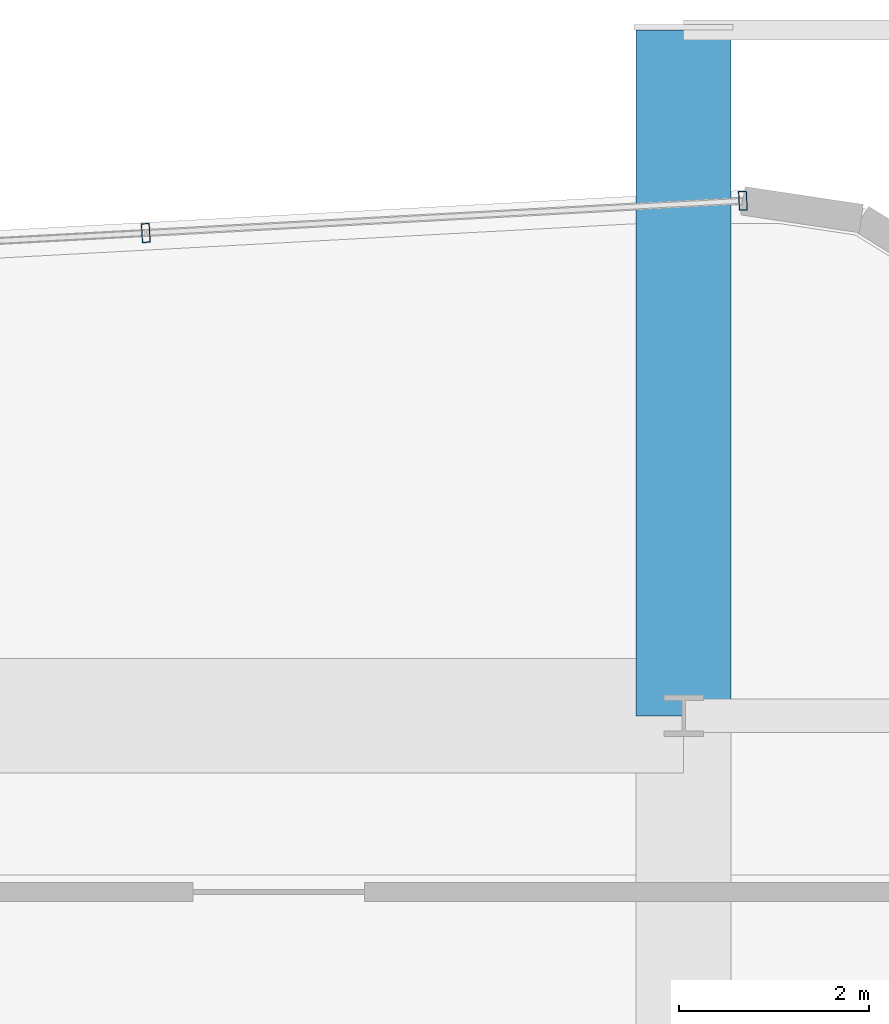
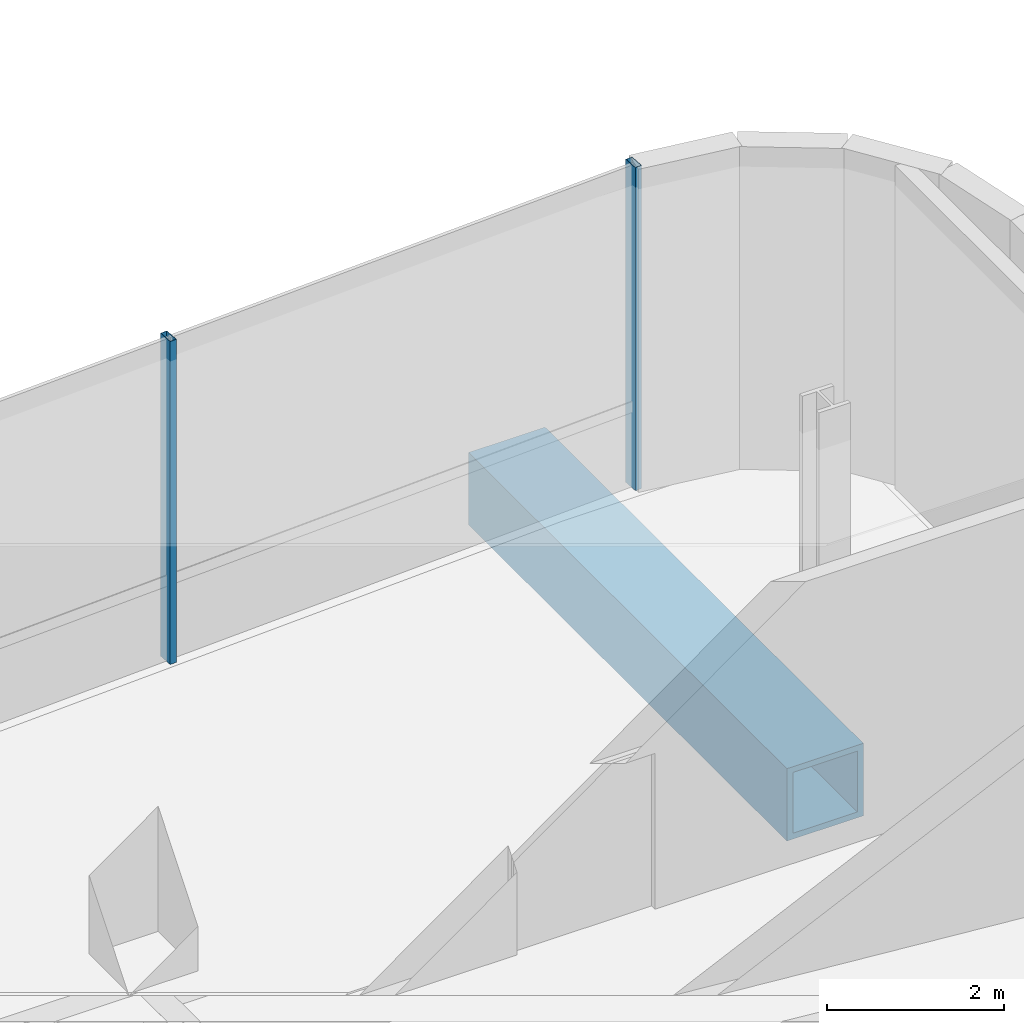
# One storey, part 14 of 20: 2 members, 1 beam, 1 element without a shape of its own.
"""IFC4 building model written with IfcOpenShell, lengths in metres."""

from ifc_helpers import new_model, si_unit, direction, frame, origin, origin_2d, place, context, subcontext, project, spatial, hollow_rectangle, extrude, source, transform, mapped, material, material_profile, profile_set, type_object, element, aggregate, save


model = new_model("IFC4")

# Units and contexts
model_context = context("Model", 3, precision=1e-05, world=origin(), true_north=direction((0.0, 1.0)))
body_context = subcontext(model_context, "Body", "Model", "MODEL_VIEW")
ifc_project = project(units=[si_unit("LENGTHUNIT", "METRE"), si_unit("AREAUNIT", "SQUARE_METRE"), si_unit("VOLUMEUNIT", "CUBIC_METRE"), si_unit("PLANEANGLEUNIT", "RADIAN"), si_unit("MASSUNIT", "GRAM", prefix="KILO")], contexts=[model_context])

# Site, building, storey
site_placement = place(None, origin())
site = spatial("IfcSite", under=ifc_project, at=site_placement, CompositionType="ELEMENT")
building_placement = place(site_placement, origin())
building = spatial("IfcBuilding", under=site, at=building_placement, Name="Valdorenza Pilgrim Sanctuary Tower", CompositionType="ELEMENT")
storey_placement = place(building_placement, frame((0.0, 0.0, 196.300048828125)))
storey = spatial("IfcBuildingStorey", under=building, at=storey_placement, Name="L50", CompositionType="ELEMENT", Elevation=196.300048828125)

# Beam
ifc_material_1 = material(Name="Steel ASTM A572 Grade 42", Category="steel")
ifc_material_profile_1 = material_profile(ifc_material_1, hollow_rectangle(XDim=1.0, YDim=1.0, WallThickness=0.080078125, at=origin_2d()), Name="BOX 1000x1000x80")
ifc_profile_set_1 = profile_set([ifc_material_profile_1], Name="Steel ASTM A572 Grade 42")
beam_type = type_object("IfcBeamType", Name="STR-BM-PROW-CANT", PredefinedType="BEAM", material=ifc_profile_set_1)
shared_shape_1 = source(origin(), body_context, "Body", "SweptSolid", [
    extrude(hollow_rectangle(XDim=1.0, YDim=1.0, WallThickness=0.080078125, at=origin_2d()), origin(), (0.0, 0.0, 1.0), 7.199951171875),
])
beam_placement = place(storey_placement, frame((-3.5, 14.800048828125, -0.739990234375), z_axis=(0.0, 1.0, 0.0), x_axis=(-1.0, 0.0, 0.0)))
element("IfcBeam", 1, at=beam_placement, inside=storey, type_object=beam_type, Name="L50 North Sanctuary Prow Cantilever PROW-CANT-N-W", PredefinedType="BEAM", context=body_context, shape_type="MappedRepresentation", body=[
    mapped(shared_shape_1, transform((0.0, 0.0, 0.0), x_axis=(1.0, 0.0, 0.0), y_axis=(0.0, 1.0, 0.0), z_axis=(0.0, 0.0, 1.0), scale=1.0)),
])

# Curtain wall, members
ifc_material_2 = material(Name="Curtain-wall IGU glazing", Category="glass")
curtain_wall_type = type_object("IfcCurtainWallType", Name="CW-SYS-02", PredefinedType="NOTDEFINED", material=ifc_material_2)
curtain_wall_placement = place(storey_placement, origin())
curtain_wall = element("IfcCurtainWall", 2, at=curtain_wall_placement, inside=storey, type_object=curtain_wall_type, Name="L50 Curtain Wall CW-L50-1-6", PredefinedType="NOTDEFINED")
ifc_material_3 = material(Name="Anodised aluminium AW-6060", Category="aluminium")
ifc_material_profile_2 = material_profile(ifc_material_3, hollow_rectangle(XDim=0.0849609375, YDim=0.199951171875, WallThickness=0.0048828125, at=origin_2d()), Name="ALU-M 200x85x5")
ifc_profile_set_2 = profile_set([ifc_material_profile_2], Name="Anodised aluminium AW-6060")
member_type = type_object("IfcMemberType", Name="CW-MUL-02", PredefinedType="MULLION", material=ifc_profile_set_2)
shared_shape_2 = source(origin(), body_context, "Body", "SweptSolid", [
    extrude(hollow_rectangle(XDim=0.0849609375, YDim=0.199951171875, WallThickness=0.0048828125, at=origin_2d()), origin(), (0.0, 0.0, 1.0), 4.4599609375),
])
member_1_placement = place(storey_placement, frame((-9.147216796875, 19.869140625, 0.0), z_axis=(0.0, 0.0, 1.0), x_axis=(0.998547034311, 0.053887106711, 0.0)))
member_1 = element("IfcMember", 3, at=member_1_placement, type_object=member_type, Name="CW-L50-1-6 Mullion 4", PredefinedType="MULLION", context=body_context, shape_type="MappedRepresentation", body=[
    mapped(shared_shape_2, transform((0.0, 0.0, 0.0), x_axis=(1.0, 0.0, 0.0), y_axis=(0.0, 1.0, 0.0), z_axis=(0.0, 0.0, 1.0), scale=1.0)),
])
member_2_placement = place(storey_placement, frame((-2.877685546875, 20.20751953125, 0.0), z_axis=(0.0, 0.0, 1.0), x_axis=(0.998547034311, 0.053887106711, 0.0)))
member_2 = element("IfcMember", 4, at=member_2_placement, type_object=member_type, Name="CW-L50-1-6 Mullion 5", PredefinedType="MULLION", context=body_context, shape_type="MappedRepresentation", body=[
    mapped(shared_shape_2, transform((0.0, 0.0, 0.0), x_axis=(1.0, 0.0, 0.0), y_axis=(0.0, 1.0, 0.0), z_axis=(0.0, 0.0, 1.0), scale=1.0)),
])
aggregate(curtain_wall, [member_1, member_2])

save(model, "model.ifc")
